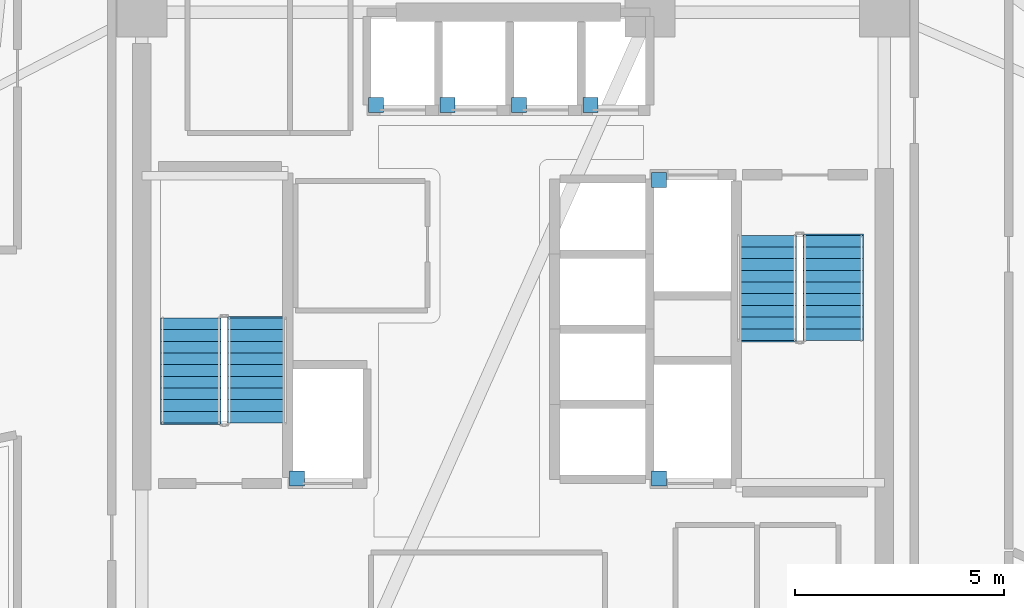
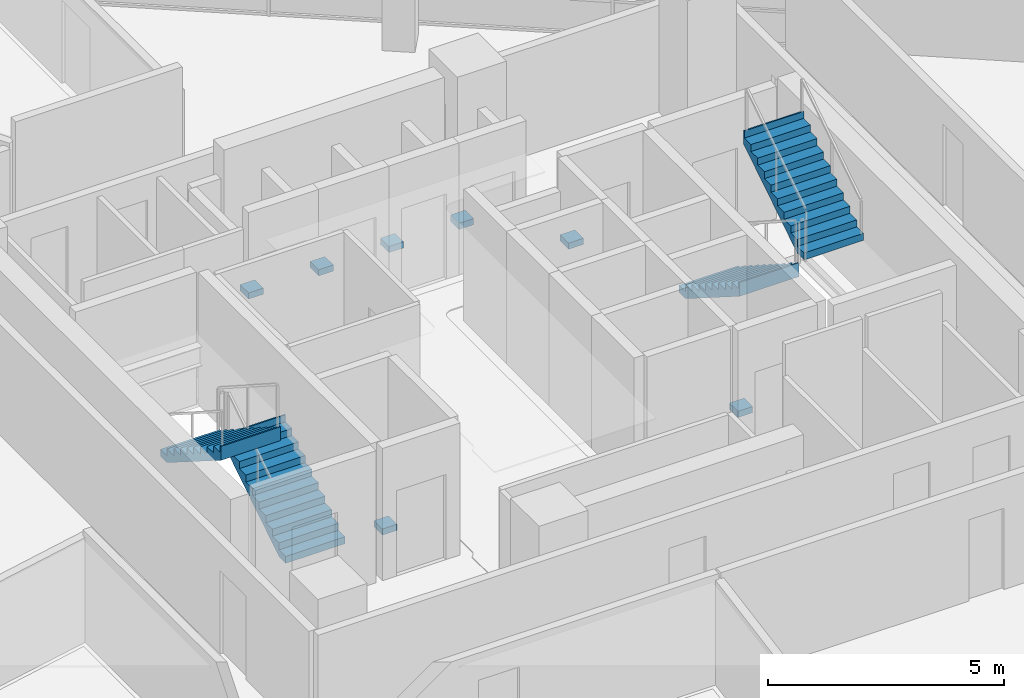
# One storey, part 13 of 16: 7 discrete accessories, 4 stair flights, 2 elements without a shape of their own.
"""IFC4 building model written with IfcOpenShell, lengths in metres."""

from ifc_helpers import new_model, si_unit, direction, frame, origin, origin_2d, place, context, subcontext, project, spatial, polyline, rectangle, outline, extrude, material, type_object, element, aggregate, save


model = new_model("IFC4")

# Units and contexts
model_context = context("Model", 3, precision=1e-05, world=origin(), true_north=direction((0.0, 1.0)))
body_context = subcontext(model_context, "Body", "Model", "MODEL_VIEW")
ifc_project = project(units=[si_unit("LENGTHUNIT", "METRE"), si_unit("AREAUNIT", "SQUARE_METRE"), si_unit("VOLUMEUNIT", "CUBIC_METRE"), si_unit("PLANEANGLEUNIT", "RADIAN"), si_unit("MASSUNIT", "GRAM", prefix="KILO")], contexts=[model_context])

# Site, building, storey
site_placement = place(None, origin())
site = spatial("IfcSite", under=ifc_project, at=site_placement, CompositionType="ELEMENT")
building_placement = place(site_placement, origin())
building = spatial("IfcBuilding", under=site, at=building_placement, Name="Tharavind Bronze Gate", CompositionType="ELEMENT")
storey_placement = place(building_placement, frame((0.0, 0.0, 130.449951171875)))
storey = spatial("IfcBuildingStorey", under=building, at=storey_placement, Name="L33", CompositionType="ELEMENT", Elevation=130.449951171875)

# Stair, stair flights
ifc_material_1 = material(Name="Concrete C40/50", Category="concrete")
stair_type = type_object("IfcStairType", Name="CORE HALF TURN STAIR 1450", PredefinedType="HALF_TURN_STAIR", material=ifc_material_1)
stair_1_placement = place(storey_placement, origin())
stair_1 = element("IfcStair", 1, at=stair_1_placement, inside=storey, type_object=stair_type, Name="L33 Protected Exit Stair ST1", PredefinedType="HALF_TURN_STAIR")
stair_flight_type = type_object("IfcStairFlightType", Name="CORE STAIR FLIGHT 1450", PredefinedType="STRAIGHT", material=ifc_material_1)
stair_flight_1_placement = place(storey_placement, frame((-6.125, -2.25, 0.0), z_axis=(0.0, 0.0, 1.0), x_axis=(0.0, 1.0, 0.0)))
stair_flight_1 = element("IfcStairFlight", 2, at=stair_flight_1_placement, type_object=stair_flight_type, Name="ST1 flight 1", NumberOfRisers=10, NumberOfTreads=9, PredefinedType="STRAIGHT", RiserHeight=0.18, TreadLength=0.28, context=body_context, shape_type="SweptSolid", body=[
    extrude(outline(polyline([(0.0, 0.0), (0.0, 0.179931640625), (0.280029296875, 0.179931640625), (0.280029296875, 0.360107421875), (0.56005859375, 0.360107421875), (0.56005859375, 0.5400390625), (0.840087890625, 0.5400390625), (0.840087890625, 0.719970703125), (1.1201171875, 0.719970703125), (1.1201171875, 0.89990234375), (1.39990234375, 0.89990234375), (1.39990234375, 1.080078125), (1.679931640625, 1.080078125), (1.679931640625, 1.260009765625), (1.9599609375, 1.260009765625), (1.9599609375, 1.43994140625), (2.239990234375, 1.43994140625), (2.239990234375, 1.6201171875), (2.52001953125, 1.6201171875), (2.52001953125, 1.800048828125), (2.555908203125, 1.800048828125), (2.555908203125, 1.44189453125), (0.277099609375, 0.0), (0.0, 0.0)])), frame((0.0, 0.72509765625, 0.0), z_axis=(0.0, -1.0, 0.0), x_axis=(1.0, 0.0, 0.0)), (0.0, 0.0, 1.0), 1.449951171875),
])
stair_flight_2_placement = place(storey_placement, frame((-7.72509765625, 0.27001953125, 1.800048828125), z_axis=(0.0, 0.0, 1.0), x_axis=(0.0, -1.0, 0.0)))
stair_flight_2 = element("IfcStairFlight", 3, at=stair_flight_2_placement, type_object=stair_flight_type, Name="ST1 flight 2", NumberOfRisers=10, NumberOfTreads=9, PredefinedType="STRAIGHT", RiserHeight=0.18, TreadLength=0.28, context=body_context, shape_type="SweptSolid", body=[
    extrude(outline(polyline([(0.0, 0.0), (0.0, 0.179931640625), (0.280029296875, 0.179931640625), (0.280029296875, 0.360107421875), (0.56005859375, 0.360107421875), (0.56005859375, 0.5400390625), (0.840087890625, 0.5400390625), (0.840087890625, 0.719970703125), (1.1201171875, 0.719970703125), (1.1201171875, 0.89990234375), (1.39990234375, 0.89990234375), (1.39990234375, 1.080078125), (1.679931640625, 1.080078125), (1.679931640625, 1.260009765625), (1.9599609375, 1.260009765625), (1.9599609375, 1.43994140625), (2.239990234375, 1.43994140625), (2.239990234375, 1.6201171875), (2.52001953125, 1.6201171875), (2.52001953125, 1.800048828125), (2.555908203125, 1.800048828125), (2.555908203125, 1.44189453125), (0.277099609375, 0.0), (0.0, 0.0)])), frame((0.0, 0.72509765625, 0.0), z_axis=(0.0, -1.0, 0.0), x_axis=(1.0, 0.0, 0.0)), (0.0, 0.0, 1.0), 1.449951171875),
])
aggregate(stair_1, [stair_flight_1, stair_flight_2])

stair_2_placement = place(storey_placement, origin())
stair_2 = element("IfcStair", 4, at=stair_2_placement, inside=storey, type_object=stair_type, Name="L33 Protected Exit Stair ST2", PredefinedType="HALF_TURN_STAIR")
stair_flight_3_placement = place(storey_placement, frame((6.074951171875, 2.25, 0.0), z_axis=(0.0, 0.0, 1.0), x_axis=(0.0, -1.0, 0.0)))
stair_flight_3 = element("IfcStairFlight", 5, at=stair_flight_3_placement, type_object=stair_flight_type, Name="ST2 flight 1", NumberOfRisers=10, NumberOfTreads=9, PredefinedType="STRAIGHT", RiserHeight=0.18, TreadLength=0.28, context=body_context, shape_type="SweptSolid", body=[
    extrude(outline(polyline([(0.0, 0.0), (0.0, 0.179931640625), (0.280029296875, 0.179931640625), (0.280029296875, 0.360107421875), (0.56005859375, 0.360107421875), (0.56005859375, 0.5400390625), (0.840087890625, 0.5400390625), (0.840087890625, 0.719970703125), (1.1201171875, 0.719970703125), (1.1201171875, 0.89990234375), (1.39990234375, 0.89990234375), (1.39990234375, 1.080078125), (1.679931640625, 1.080078125), (1.679931640625, 1.260009765625), (1.9599609375, 1.260009765625), (1.9599609375, 1.43994140625), (2.239990234375, 1.43994140625), (2.239990234375, 1.6201171875), (2.52001953125, 1.6201171875), (2.52001953125, 1.800048828125), (2.555908203125, 1.800048828125), (2.555908203125, 1.44189453125), (0.277099609375, 0.0), (0.0, 0.0)])), frame((0.0, 0.72509765625, 0.0), z_axis=(0.0, -1.0, 0.0), x_axis=(1.0, 0.0, 0.0)), (0.0, 0.0, 1.0), 1.449951171875),
])
stair_flight_4_placement = place(storey_placement, frame((7.675048828125, -0.27001953125, 1.800048828125), z_axis=(0.0, 0.0, 1.0), x_axis=(0.0, 1.0, 0.0)))
stair_flight_4 = element("IfcStairFlight", 6, at=stair_flight_4_placement, type_object=stair_flight_type, Name="ST2 flight 2", NumberOfRisers=10, NumberOfTreads=9, PredefinedType="STRAIGHT", RiserHeight=0.18, TreadLength=0.28, context=body_context, shape_type="SweptSolid", body=[
    extrude(outline(polyline([(0.0, 0.0), (0.0, 0.179931640625), (0.280029296875, 0.179931640625), (0.280029296875, 0.360107421875), (0.56005859375, 0.360107421875), (0.56005859375, 0.5400390625), (0.840087890625, 0.5400390625), (0.840087890625, 0.719970703125), (1.1201171875, 0.719970703125), (1.1201171875, 0.89990234375), (1.39990234375, 0.89990234375), (1.39990234375, 1.080078125), (1.679931640625, 1.080078125), (1.679931640625, 1.260009765625), (1.9599609375, 1.260009765625), (1.9599609375, 1.43994140625), (2.239990234375, 1.43994140625), (2.239990234375, 1.6201171875), (2.52001953125, 1.6201171875), (2.52001953125, 1.800048828125), (2.555908203125, 1.800048828125), (2.555908203125, 1.44189453125), (0.277099609375, 0.0), (0.0, 0.0)])), frame((0.0, 0.72509765625, 0.0), z_axis=(0.0, -1.0, 0.0), x_axis=(1.0, 0.0, 0.0)), (0.0, 0.0, 1.0), 1.449951171875),
])
aggregate(stair_2, [stair_flight_3, stair_flight_4])

# Discrete accessories
ifc_material_2 = material(Name="Galvanised Steel S355", Category="steel")
discrete_accessory_type = type_object("IfcDiscreteAccessoryType", Name="LIFT GUIDE RAIL BRACKET", PredefinedType="BRACKET", material=ifc_material_2)
for number, where, z_axis, x_axis, name in (
    (7, (-3.280029296875, 5.3701171875, 1.1201171875), (0.0, 0.0, 1.0), (1.0, 0.0, 0.0), "Lift PL5 guide rail bracket at L33"),
    (8, (-1.5673828125, 5.3701171875, 1.1201171875), (0.0, 0.0, 1.0), (1.0, 0.0, 0.0), "Lift PL6 guide rail bracket at L33"),
    (9, (0.14501953125, 5.3701171875, 1.1201171875), (0.0, 0.0, 1.0), (1.0, 0.0, 0.0), "Lift PL7 guide rail bracket at L33"),
    (10, (1.857421875, 5.3701171875, 1.1201171875), (0.0, 0.0, 1.0), (1.0, 0.0, 0.0), "Lift PL8 guide rail bracket at L33"),
    (11, (-5.179931640625, -3.580078125, 1.1201171875), (0.0, 0.0, 1.0), (1.0, 0.0, 0.0), "Lift FFL1 guide rail bracket at L33"),
    (12, (3.5, 3.580078125, 1.1201171875), (0.0, 0.0, 1.0), (1.0, 0.0, 0.0), "Lift FFL2 guide rail bracket at L33"),
    (13, (3.5, -3.580078125, 1.1201171875), (0.0, 0.0, 1.0), (1.0, 0.0, 0.0), "Lift SVL1 guide rail bracket at L33"),
):
    element("IfcDiscreteAccessory", number, at=place(storey_placement, frame(where, z_axis=z_axis, x_axis=x_axis)), inside=storey, type_object=discrete_accessory_type, Name=name, PredefinedType="BRACKET", context=body_context, shape_type="SweptSolid", body=[
        extrude(rectangle(XDim=0.360107421875, YDim=0.360107421875, at=origin_2d()), origin(), (0.0, 0.0, 1.0), 0.159912109375),
    ])

save(model, "model.ifc")
